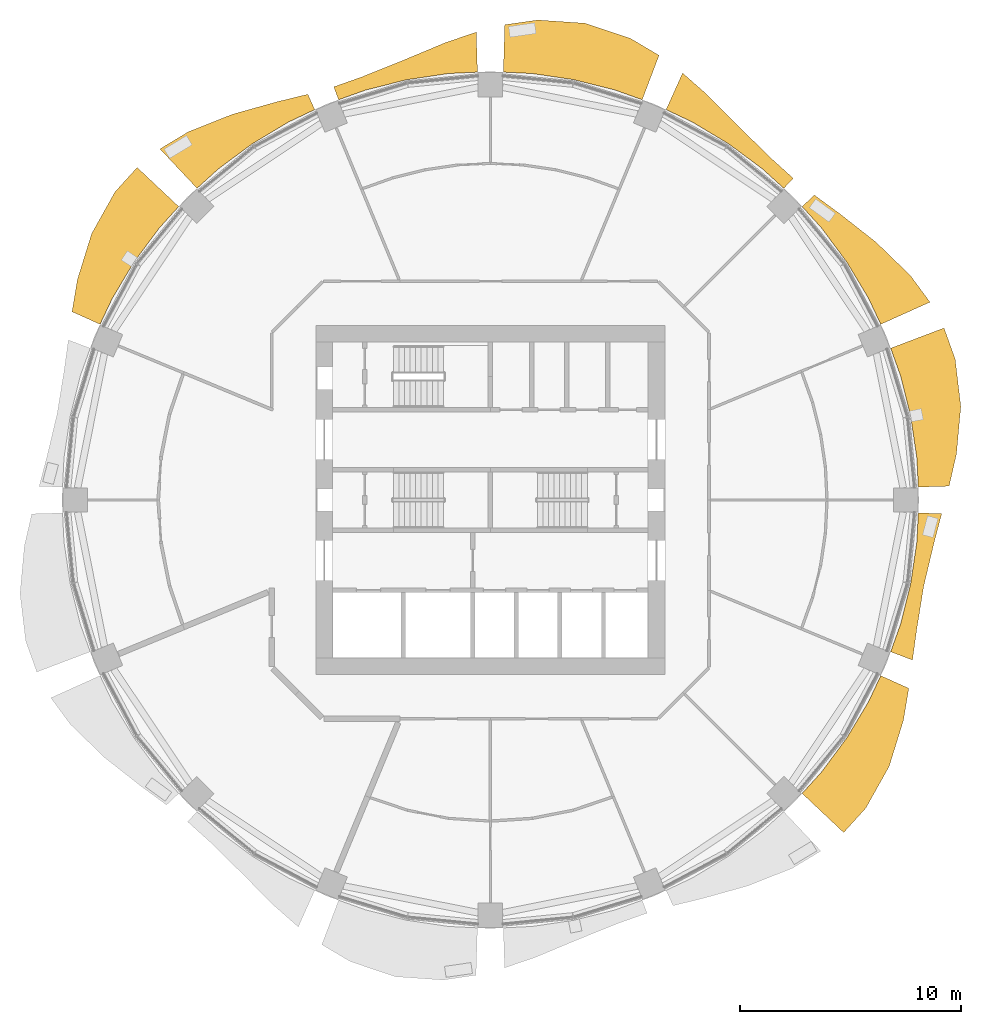
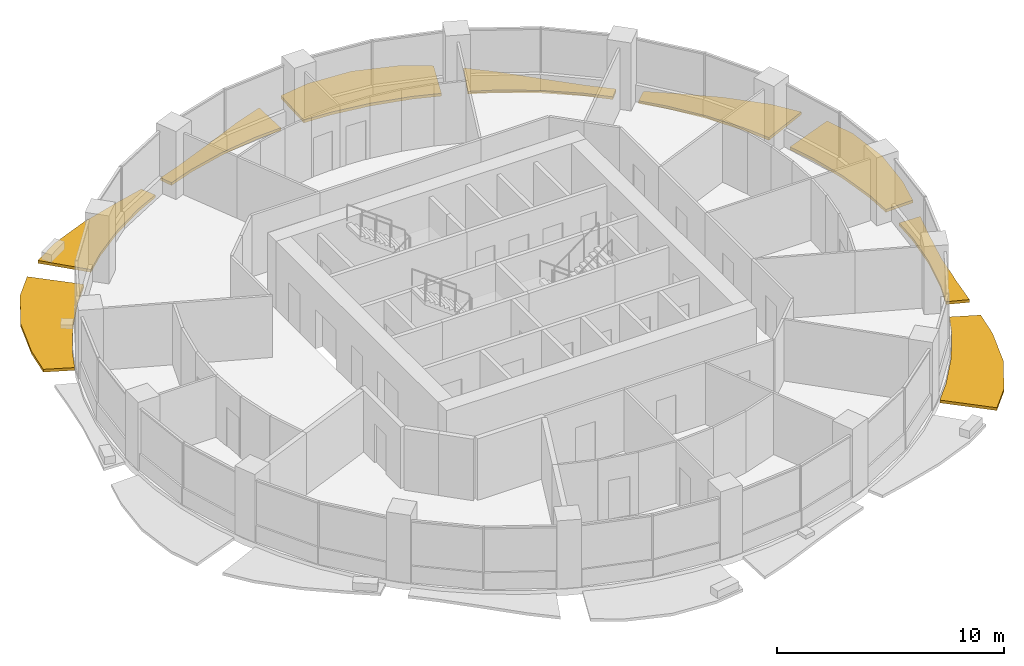
# One storey, part 14 of 15: 9 shading devices.
"""IFC4 building model written with IfcOpenShell, lengths in metres."""

from ifc_helpers import new_model, si_unit, direction, frame, origin, place, context, subcontext, project, spatial, polyline, outline, extrude, material, type_object, element, save


model = new_model("IFC4")

# Units and contexts
model_context = context("Model", 3, precision=1e-05, world=origin(), true_north=direction((0.0, 1.0)))
body_context = subcontext(model_context, "Body", "Model", "MODEL_VIEW")
ifc_project = project(units=[si_unit("LENGTHUNIT", "METRE"), si_unit("AREAUNIT", "SQUARE_METRE"), si_unit("VOLUMEUNIT", "CUBIC_METRE"), si_unit("PLANEANGLEUNIT", "RADIAN"), si_unit("MASSUNIT", "GRAM", prefix="KILO")], contexts=[model_context])

# Site, building, storey
site_placement = place(None, origin())
site = spatial("IfcSite", under=ifc_project, at=site_placement, CompositionType="ELEMENT")
building_placement = place(site_placement, origin())
building = spatial("IfcBuilding", under=site, at=building_placement, Name="Polderwave Tower", CompositionType="ELEMENT")
storey_placement = place(building_placement, frame((0.0, 0.0, 83.699951171875)))
storey = spatial("IfcBuildingStorey", under=building, at=storey_placement, Name="L21", CompositionType="ELEMENT", Elevation=83.699951171875)

# Shading devices
ifc_material = material(Name="Terracotta", Category="masonry")
shading_device_type = type_object("IfcShadingDeviceType", Name="Terracotta sunshade band", PredefinedType="USERDEFINED", material=ifc_material)
shading_device_1_placement = place(storey_placement, frame((0.0, 0.0, -0.349853515625)))
element("IfcShadingDevice", 1, at=shading_device_1_placement, inside=storey, type_object=shading_device_type, Name="Sunshade band L21 1", ObjectType="SUNSHADE", PredefinedType="USERDEFINED", context=body_context, shape_type="SweptSolid", body=[
    extrude(outline(polyline([(19.3212890625, 0.583984375), (19.2568359375, 1.896484375), (18.978271484375, 3.77490234375), (18.516845703125, 5.616943359375), (18.073974609375, 6.8544921875), (20.48388671875, 7.768310546875), (20.98681640625, 6.3662109375), (21.242431640625, 4.225341796875), (21.04541015625, 2.07275390625), (20.712890625, 0.6259765625), (19.3212890625, 0.583984375)])), origin(), (0.0, 0.0, 1.0), 0.14990234375),
])
shading_device_2_placement = place(storey_placement, frame((0.0, 0.0, -0.349853515625)))
element("IfcShadingDevice", 2, at=shading_device_2_placement, inside=storey, type_object=shading_device_type, Name="Sunshade band L21 2", ObjectType="SUNSHADE", PredefinedType="USERDEFINED", context=body_context, shape_type="SweptSolid", body=[
    extrude(outline(polyline([(17.627197265625, 7.933349609375), (17.065185546875, 9.12158203125), (16.0888671875, 10.750244140625), (14.957763671875, 12.275390625), (14.0751953125, 13.24951171875), (14.627685546875, 13.76953125), (15.763671875, 12.93701171875), (17.41748046875, 11.637939453125), (18.964599609375, 10.13671875), (19.850830078125, 8.93408203125), (17.627197265625, 7.933349609375)])), origin(), (0.0, 0.0, 1.0), 0.14990234375),
])
shading_device_3_placement = place(storey_placement, frame((0.0, 0.0, -0.349853515625)))
element("IfcShadingDevice", 3, at=shading_device_3_placement, inside=storey, type_object=shading_device_type, Name="Sunshade band L21 3", ObjectType="SUNSHADE", PredefinedType="USERDEFINED", context=body_context, shape_type="SweptSolid", body=[
    extrude(outline(polyline([(13.24951171875, 14.0751953125), (12.275390625, 14.957763671875), (10.750244140625, 16.0888671875), (9.12158203125, 17.065185546875), (7.933349609375, 17.627197265625), (8.677001953125, 19.279541015625), (9.784912109375, 18.30615234375), (11.247314453125, 16.832763671875), (12.668701171875, 15.436767578125), (13.675537109375, 14.52783203125), (13.24951171875, 14.0751953125)])), origin(), (0.0, 0.0, 1.0), 0.14990234375),
])
shading_device_4_placement = place(storey_placement, frame((0.0, 0.0, -0.349853515625)))
element("IfcShadingDevice", 4, at=shading_device_4_placement, inside=storey, type_object=shading_device_type, Name="Sunshade band L21 4", ObjectType="SUNSHADE", PredefinedType="USERDEFINED", context=body_context, shape_type="SweptSolid", body=[
    extrude(outline(polyline([(6.8544921875, 18.073974609375), (5.616943359375, 18.516845703125), (3.77490234375, 18.978271484375), (1.896484375, 19.2568359375), (0.583984375, 19.3212890625), (0.648681640625, 21.46142578125), (2.134765625, 21.67529296875), (4.2822265625, 21.5283203125), (6.3232421875, 20.8447265625), (7.614990234375, 20.07958984375), (6.8544921875, 18.073974609375)])), origin(), (0.0, 0.0, 1.0), 0.14990234375),
])
shading_device_5_placement = place(storey_placement, frame((0.0, 0.0, -0.349853515625)))
element("IfcShadingDevice", 5, at=shading_device_5_placement, inside=storey, type_object=shading_device_type, Name="Sunshade band L21 5", ObjectType="SUNSHADE", PredefinedType="USERDEFINED", context=body_context, shape_type="SweptSolid", body=[
    extrude(outline(polyline([(-0.583984375, 19.3212890625), (-1.896484375, 19.2568359375), (-3.77490234375, 18.978271484375), (-5.616943359375, 18.516845703125), (-6.8544921875, 18.073974609375), (-7.0751953125, 18.65625), (-5.796630859375, 19.10888671875), (-3.948974609375, 19.852294921875), (-2.0341796875, 20.65283203125), (-0.638427734375, 21.128173828125), (-0.583984375, 19.3212890625)])), origin(), (0.0, 0.0, 1.0), 0.14990234375),
])
shading_device_6_placement = place(storey_placement, frame((0.0, 0.0, -0.349853515625)))
element("IfcShadingDevice", 6, at=shading_device_6_placement, inside=storey, type_object=shading_device_type, Name="Sunshade band L21 6", ObjectType="SUNSHADE", PredefinedType="USERDEFINED", context=body_context, shape_type="SweptSolid", body=[
    extrude(outline(polyline([(-7.933349609375, 17.627197265625), (-9.12158203125, 17.065185546875), (-10.750244140625, 16.0888671875), (-12.275390625, 14.957763671875), (-13.24951171875, 14.0751953125), (-14.922607421875, 15.8525390625), (-13.644287109375, 16.62548828125), (-11.640380859375, 17.421142578125), (-9.61474609375, 17.98779296875), (-8.245849609375, 18.321533203125), (-7.933349609375, 17.627197265625)])), origin(), (0.0, 0.0, 1.0), 0.14990234375),
])
shading_device_7_placement = place(storey_placement, frame((0.0, 0.0, -0.349853515625)))
element("IfcShadingDevice", 7, at=shading_device_7_placement, inside=storey, type_object=shading_device_type, Name="Sunshade band L21 7", ObjectType="SUNSHADE", PredefinedType="USERDEFINED", context=body_context, shape_type="SweptSolid", body=[
    extrude(outline(polyline([(-14.0751953125, 13.24951171875), (-14.957763671875, 12.275390625), (-16.0888671875, 10.750244140625), (-17.065185546875, 9.12158203125), (-17.627197265625, 7.933349609375), (-18.892822265625, 8.5029296875), (-18.646484375, 9.966796875), (-18.005859375, 12.03125), (-16.952392578125, 13.91259765625), (-15.952392578125, 15.0166015625), (-14.0751953125, 13.24951171875)])), origin(), (0.0, 0.0, 1.0), 0.14990234375),
])
shading_device_8_placement = place(storey_placement, frame((0.0, 0.0, -0.349853515625)))
element("IfcShadingDevice", 8, at=shading_device_8_placement, inside=storey, type_object=shading_device_type, Name="Sunshade band L21 15", ObjectType="SUNSHADE", PredefinedType="USERDEFINED", context=body_context, shape_type="SweptSolid", body=[
    extrude(outline(polyline([(14.0751953125, -13.24951171875), (14.957763671875, -12.275390625), (16.0888671875, -10.750244140625), (17.065185546875, -9.12158203125), (17.627197265625, -7.933349609375), (18.892822265625, -8.5029296875), (18.646484375, -9.966796875), (18.005859375, -12.03125), (16.952392578125, -13.91259765625), (15.952392578125, -15.0166015625), (14.0751953125, -13.24951171875)])), origin(), (0.0, 0.0, 1.0), 0.14990234375),
])
shading_device_9_placement = place(storey_placement, frame((0.0, 0.0, -0.349853515625)))
element("IfcShadingDevice", 9, at=shading_device_9_placement, inside=storey, type_object=shading_device_type, Name="Sunshade band L21 16", ObjectType="SUNSHADE", PredefinedType="USERDEFINED", context=body_context, shape_type="SweptSolid", body=[
    extrude(outline(polyline([(18.073974609375, -6.8544921875), (18.516845703125, -5.616943359375), (18.978271484375, -3.77490234375), (19.2568359375, -1.896484375), (19.3212890625, -0.583984375), (20.379638671875, -0.615966796875), (20.02294921875, -1.97216796875), (19.566650390625, -3.89208984375), (19.2509765625, -5.839599609375), (19.060546875, -7.228759765625), (18.073974609375, -6.8544921875)])), origin(), (0.0, 0.0, 1.0), 0.14990234375),
])

save(model, "model.ifc")
